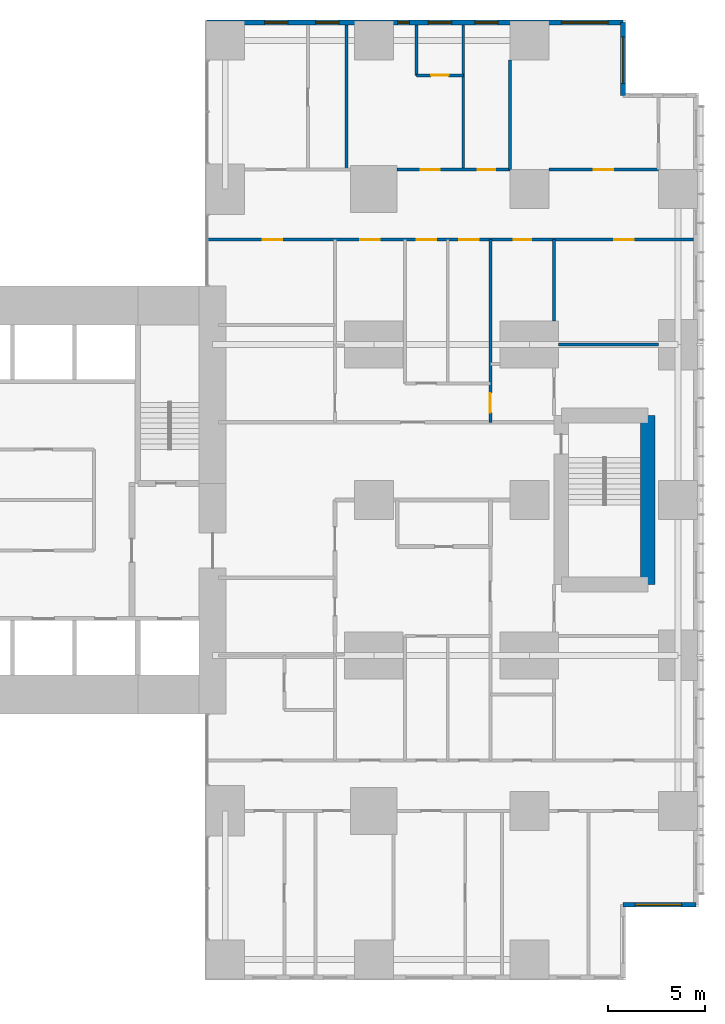
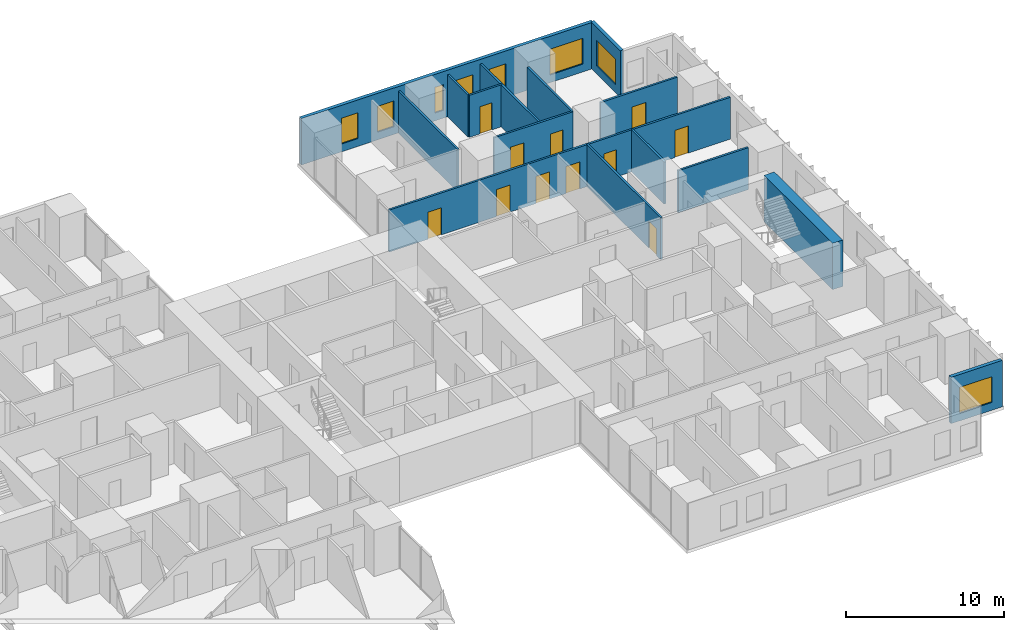
# One storey, part 18 of 20: 15 walls, 11 doors, 8 windows, 19 openings.
"""IFC4 building model written with IfcOpenShell, lengths in metres."""

from ifc_helpers import new_model, si_unit, direction, frame, frame_2d, origin, place, context, subcontext, project, spatial, rectangle, extrude, material, layer, layer_set, type_object, element, fill, save


model = new_model("IFC4")

# Units and contexts
model_context = context("Model", 3, precision=1e-05, world=origin(), true_north=direction((0.0, 1.0)))
body_context = subcontext(model_context, "Body", "Model", "MODEL_VIEW")
ifc_project = project(units=[si_unit("LENGTHUNIT", "METRE"), si_unit("AREAUNIT", "SQUARE_METRE"), si_unit("VOLUMEUNIT", "CUBIC_METRE"), si_unit("PLANEANGLEUNIT", "RADIAN"), si_unit("MASSUNIT", "GRAM", prefix="KILO")], contexts=[model_context])

# Site, building, storey
site_placement = place(None, origin())
site = spatial("IfcSite", under=ifc_project, at=site_placement, CompositionType="ELEMENT")
building_placement = place(site_placement, origin())
building = spatial("IfcBuilding", under=site, at=building_placement, Name="Cleftline Residences", CompositionType="ELEMENT")
storey_placement = place(building_placement, frame((0.0, 0.0, 87.199951171875)))
storey = spatial("IfcBuildingStorey", under=building, at=storey_placement, Name="L22", CompositionType="ELEMENT", Elevation=87.199951171875)

# Wall, opening, window
ifc_material_1 = material(Name="Rendered reinforced concrete blockwork", Category="masonry")
ifc_layer_1 = layer(ifc_material_1, 0.25)
ifc_layer_set_1 = layer_set([ifc_layer_1], Name="EXTERNAL WALL 250")
wall_type_1 = type_object("IfcWallType", Name="EXTERNAL WALL 250", PredefinedType="SOLIDWALL", material=ifc_layer_set_1)
wall_1_placement = place(storey_placement, frame((62.824951171875, 3.175048828125, 0.0), z_axis=(0.0, 0.0, 1.0), x_axis=(1.0, 0.0, 0.0)))
wall_1 = element("IfcWall", 1, at=wall_1_placement, inside=storey, type_object=wall_type_1, Name="External wall", PredefinedType="SOLIDWALL", context=body_context, shape_type="SweptSolid", body=[
    extrude(rectangle(XDim=3.75, YDim=0.25, at=frame_2d((1.875, 0.0))), origin(), (0.0, 0.0, 1.0), 3.60009765625),
])
opening_1_placement = place(wall_1_placement, frame((0.612548828125, 0.0, 0.60009765625)))
opening_1 = element("IfcOpeningElement", 2, at=opening_1_placement, cuts=wall_1, Name="Opening W6", PredefinedType="OPENING", context=body_context, shape_type="SweptSolid", body=[
    extrude(rectangle(XDim=2.39990234375, YDim=2.0, at=frame_2d((1.199951171875, 1.0))), frame((0.0, 0.135009765625, 0.0), z_axis=(0.0, -1.0, 0.0), x_axis=(1.0, 0.0, 0.0)), (0.0, 0.0, 1.0), 0.27001953125),
])
ifc_material_2 = material(Name="Aluminium frame, clear double glazing", Category="aluminium")
window_type_1 = type_object("IfcWindowType", Name="WINDOW 2400X2000", PartitioningType="DOUBLE_PANEL_VERTICAL", PredefinedType="WINDOW", material=ifc_material_2)
window_1_placement = place(opening_1_placement, origin())
window_1 = element("IfcWindow", 3, at=window_1_placement, inside=storey, type_object=window_type_1, Name="Window", OverallHeight=2.0, OverallWidth=2.39990234375, PartitioningType="SINGLE_PANEL", PredefinedType="WINDOW", context=body_context, shape_type="SweptSolid", body=[
    extrude(rectangle(XDim=2.39990234375, YDim=2.0, at=frame_2d((1.199951171875, 1.0))), frame((0.0, 0.030029296875, 0.0), z_axis=(0.0, -1.0, 0.0), x_axis=(1.0, 0.0, 0.0)), (0.0, 0.0, 1.0), 0.06005859375),
])
fill(opening_1, window_1)

wall_2_placement = place(storey_placement, frame((62.824951171875, 44.824951171875, 0.0), z_axis=(0.0, 0.0, 1.0), x_axis=(0.0, 1.0, 0.0)))
wall_2 = element("IfcWall", 4, at=wall_2_placement, inside=storey, type_object=wall_type_1, Name="External wall", PredefinedType="SOLIDWALL", context=body_context, shape_type="SweptSolid", body=[
    extrude(rectangle(XDim=3.75, YDim=0.25, at=frame_2d((1.875, 0.0))), origin(), (0.0, 0.0, 1.0), 3.60009765625),
])
opening_2_placement = place(wall_2_placement, frame((0.612548828125, 0.0, 0.60009765625)))
opening_2 = element("IfcOpeningElement", 5, at=opening_2_placement, cuts=wall_2, Name="Opening W6", PredefinedType="OPENING", context=body_context, shape_type="SweptSolid", body=[
    extrude(rectangle(XDim=2.39990234375, YDim=2.0, at=frame_2d((1.199951171875, 1.0))), frame((0.0, 0.135009765625, 0.0), z_axis=(0.0, -1.0, 0.0), x_axis=(1.0, 0.0, 0.0)), (0.0, 0.0, 1.0), 0.27001953125),
])
window_2_placement = place(opening_2_placement, origin())
window_2 = element("IfcWindow", 6, at=window_2_placement, inside=storey, type_object=window_type_1, Name="Window", OverallHeight=2.0, OverallWidth=2.39990234375, PartitioningType="SINGLE_PANEL", PredefinedType="WINDOW", context=body_context, shape_type="SweptSolid", body=[
    extrude(rectangle(XDim=2.39990234375, YDim=2.0, at=frame_2d((1.199951171875, 1.0))), frame((0.0, 0.030029296875, 0.0), z_axis=(0.0, -1.0, 0.0), x_axis=(1.0, 0.0, 0.0)), (0.0, 0.0, 1.0), 0.06005859375),
])
fill(opening_2, window_2)

# Wall, openings, windows
wall_3_placement = place(storey_placement, frame((62.824951171875, 48.574951171875, 0.0), z_axis=(0.0, 0.0, 1.0), x_axis=(-1.0, 0.0, 0.0)))
wall_3 = element("IfcWall", 7, at=wall_3_placement, inside=storey, type_object=wall_type_1, Name="External wall", PredefinedType="SOLIDWALL", context=body_context, shape_type="SweptSolid", body=[
    extrude(rectangle(XDim=21.39990234375, YDim=0.25, at=frame_2d((10.699951171875, 0.0))), origin(), (0.0, 0.0, 1.0), 3.60009765625),
])
opening_3_placement = place(wall_3_placement, frame((0.77490234375, 0.0, 0.60009765625)))
opening_3 = element("IfcOpeningElement", 8, at=opening_3_placement, cuts=wall_3, Name="Opening W6", PredefinedType="OPENING", context=body_context, shape_type="SweptSolid", body=[
    extrude(rectangle(XDim=2.39990234375, YDim=2.0, at=frame_2d((1.199951171875, 1.0))), frame((0.0, 0.135009765625, 0.0), z_axis=(0.0, -1.0, 0.0), x_axis=(1.0, 0.0, 0.0)), (0.0, 0.0, 1.0), 0.27001953125),
])
opening_4_placement = place(wall_3_placement, frame((6.425048828125, 0.0, 0.60009765625)))
opening_4 = element("IfcOpeningElement", 9, at=opening_4_placement, cuts=wall_3, Name="Opening W8", PredefinedType="OPENING", context=body_context, shape_type="SweptSolid", body=[
    extrude(rectangle(XDim=1.199951171875, YDim=2.0, at=frame_2d((0.60009765625, 1.0))), frame((0.0, 0.135009765625, 0.0), z_axis=(0.0, -1.0, 0.0), x_axis=(1.0, 0.0, 0.0)), (0.0, 0.0, 1.0), 0.27001953125),
])
opening_5_placement = place(wall_3_placement, frame((8.824951171875, 0.0, 0.60009765625)))
opening_5 = element("IfcOpeningElement", 10, at=opening_5_placement, cuts=wall_3, Name="Opening W8", PredefinedType="OPENING", context=body_context, shape_type="SweptSolid", body=[
    extrude(rectangle(XDim=1.199951171875, YDim=2.0, at=frame_2d((0.60009765625, 1.0))), frame((0.0, 0.135009765625, 0.0), z_axis=(0.0, -1.0, 0.0), x_axis=(1.0, 0.0, 0.0)), (0.0, 0.0, 1.0), 0.27001953125),
])
opening_6_placement = place(wall_3_placement, frame((11.0, 0.0, 0.60009765625)))
opening_6 = element("IfcOpeningElement", 11, at=opening_6_placement, cuts=wall_3, Name="Opening W7", PredefinedType="OPENING", context=body_context, shape_type="SweptSolid", body=[
    extrude(rectangle(XDim=0.60009765625, YDim=2.0, at=frame_2d((0.300048828125, 1.0))), frame((0.0, 0.135009765625, 0.0), z_axis=(0.0, -1.0, 0.0), x_axis=(1.0, 0.0, 0.0)), (0.0, 0.0, 1.0), 0.27001953125),
])
opening_7_placement = place(wall_3_placement, frame((14.625, 0.0, 0.60009765625)))
opening_7 = element("IfcOpeningElement", 12, at=opening_7_placement, cuts=wall_3, Name="Opening W8", PredefinedType="OPENING", context=body_context, shape_type="SweptSolid", body=[
    extrude(rectangle(XDim=1.199951171875, YDim=2.0, at=frame_2d((0.60009765625, 1.0))), frame((0.0, 0.135009765625, 0.0), z_axis=(0.0, -1.0, 0.0), x_axis=(1.0, 0.0, 0.0)), (0.0, 0.0, 1.0), 0.27001953125),
])
opening_8_placement = place(wall_3_placement, frame((17.25, 0.0, 0.60009765625)))
opening_8 = element("IfcOpeningElement", 13, at=opening_8_placement, cuts=wall_3, Name="Opening W8", PredefinedType="OPENING", context=body_context, shape_type="SweptSolid", body=[
    extrude(rectangle(XDim=1.199951171875, YDim=2.0, at=frame_2d((0.60009765625, 1.0))), frame((0.0, 0.135009765625, 0.0), z_axis=(0.0, -1.0, 0.0), x_axis=(1.0, 0.0, 0.0)), (0.0, 0.0, 1.0), 0.27001953125),
])
ifc_material_3 = material(Name="Aluminium frame, clear double glazing", Category="aluminium")
window_type_2 = type_object("IfcWindowType", Name="WINDOW 1200X2000", PartitioningType="DOUBLE_PANEL_VERTICAL", PredefinedType="WINDOW", material=ifc_material_3)
window_3_placement = place(opening_4_placement, origin())
window_3 = element("IfcWindow", 14, at=window_3_placement, inside=storey, type_object=window_type_2, Name="Window", OverallHeight=2.0, OverallWidth=1.199951171875, PartitioningType="SINGLE_PANEL", PredefinedType="WINDOW", context=body_context, shape_type="SweptSolid", body=[
    extrude(rectangle(XDim=1.199951171875, YDim=2.0, at=frame_2d((0.60009765625, 1.0))), frame((0.0, 0.030029296875, 0.0), z_axis=(0.0, -1.0, 0.0), x_axis=(1.0, 0.0, 0.0)), (0.0, 0.0, 1.0), 0.06005859375),
])
fill(opening_4, window_3)
window_4_placement = place(opening_5_placement, origin())
window_4 = element("IfcWindow", 15, at=window_4_placement, inside=storey, type_object=window_type_2, Name="Window", OverallHeight=2.0, OverallWidth=1.199951171875, PartitioningType="SINGLE_PANEL", PredefinedType="WINDOW", context=body_context, shape_type="SweptSolid", body=[
    extrude(rectangle(XDim=1.199951171875, YDim=2.0, at=frame_2d((0.60009765625, 1.0))), frame((0.0, 0.030029296875, 0.0), z_axis=(0.0, -1.0, 0.0), x_axis=(1.0, 0.0, 0.0)), (0.0, 0.0, 1.0), 0.06005859375),
])
fill(opening_5, window_4)
window_5_placement = place(opening_7_placement, origin())
window_5 = element("IfcWindow", 16, at=window_5_placement, inside=storey, type_object=window_type_2, Name="Window", OverallHeight=2.0, OverallWidth=1.199951171875, PartitioningType="SINGLE_PANEL", PredefinedType="WINDOW", context=body_context, shape_type="SweptSolid", body=[
    extrude(rectangle(XDim=1.199951171875, YDim=2.0, at=frame_2d((0.60009765625, 1.0))), frame((0.0, 0.030029296875, 0.0), z_axis=(0.0, -1.0, 0.0), x_axis=(1.0, 0.0, 0.0)), (0.0, 0.0, 1.0), 0.06005859375),
])
fill(opening_7, window_5)
window_6_placement = place(opening_8_placement, origin())
window_6 = element("IfcWindow", 17, at=window_6_placement, inside=storey, type_object=window_type_2, Name="Window", OverallHeight=2.0, OverallWidth=1.199951171875, PartitioningType="SINGLE_PANEL", PredefinedType="WINDOW", context=body_context, shape_type="SweptSolid", body=[
    extrude(rectangle(XDim=1.199951171875, YDim=2.0, at=frame_2d((0.60009765625, 1.0))), frame((0.0, 0.030029296875, 0.0), z_axis=(0.0, -1.0, 0.0), x_axis=(1.0, 0.0, 0.0)), (0.0, 0.0, 1.0), 0.06005859375),
])
fill(opening_8, window_6)
window_7_placement = place(opening_3_placement, origin())
window_7 = element("IfcWindow", 18, at=window_7_placement, inside=storey, type_object=window_type_1, Name="Window", OverallHeight=2.0, OverallWidth=2.39990234375, PartitioningType="SINGLE_PANEL", PredefinedType="WINDOW", context=body_context, shape_type="SweptSolid", body=[
    extrude(rectangle(XDim=2.39990234375, YDim=2.0, at=frame_2d((1.199951171875, 1.0))), frame((0.0, 0.030029296875, 0.0), z_axis=(0.0, -1.0, 0.0), x_axis=(1.0, 0.0, 0.0)), (0.0, 0.0, 1.0), 0.06005859375),
])
fill(opening_3, window_7)
ifc_material_4 = material(Name="Aluminium frame, clear double glazing", Category="aluminium")
window_type_3 = type_object("IfcWindowType", Name="WINDOW 600X2000", PartitioningType="DOUBLE_PANEL_VERTICAL", PredefinedType="WINDOW", material=ifc_material_4)
window_8_placement = place(opening_6_placement, origin())
window_8 = element("IfcWindow", 19, at=window_8_placement, inside=storey, type_object=window_type_3, Name="Window", OverallHeight=2.0, OverallWidth=0.60009765625, PartitioningType="SINGLE_PANEL", PredefinedType="WINDOW", context=body_context, shape_type="SweptSolid", body=[
    extrude(rectangle(XDim=0.60009765625, YDim=2.0, at=frame_2d((0.300048828125, 1.0))), frame((0.0, 0.030029296875, 0.0), z_axis=(0.0, -1.0, 0.0), x_axis=(1.0, 0.0, 0.0)), (0.0, 0.0, 1.0), 0.06005859375),
])
fill(opening_6, window_8)

# Wall
ifc_material_5 = material(Name="Gypsum board on steel studs", Category="steel")
ifc_layer_2 = layer(ifc_material_5, 0.14990234375)
ifc_layer_set_2 = layer_set([ifc_layer_2], Name="PARTITION 150")
wall_type_2 = type_object("IfcWallType", Name="PARTITION 150", PredefinedType="PARTITIONING", material=ifc_layer_set_2)
wall_4_placement = place(storey_placement, frame((59.5, 32.0, 0.0), z_axis=(0.0, 0.0, 1.0), x_axis=(1.0, 0.0, 0.0)))
element("IfcWall", 20, at=wall_4_placement, inside=storey, type_object=wall_type_2, Name="Partition", PredefinedType="PARTITIONING", context=body_context, shape_type="SweptSolid", body=[
    extrude(rectangle(XDim=5.14990234375, YDim=0.14990234375, at=frame_2d((2.574951171875, 0.0))), origin(), (0.0, 0.0, 1.0), 3.25),
])

# Wall, openings, doors
wall_5_placement = place(storey_placement, frame((41.43896484375, 37.39990234375, 0.0), z_axis=(0.0, 0.0, 1.0), x_axis=(1.0, 0.0, 0.0)))
wall_5 = element("IfcWall", 21, at=wall_5_placement, inside=storey, type_object=wall_type_2, Name="Partition", PredefinedType="PARTITIONING", context=body_context, shape_type="SweptSolid", body=[
    extrude(rectangle(XDim=25.010986328125, YDim=0.14990234375, at=frame_2d((12.50537109375, 0.0))), origin(), (0.0, 0.0, 1.0), 3.25),
])
opening_9_placement = place(wall_5_placement, frame((10.760986328125, 0.0, 0.0)))
opening_9 = element("IfcOpeningElement", 22, at=opening_9_placement, cuts=wall_5, Name="Opening D2", PredefinedType="OPENING", context=body_context, shape_type="SweptSolid", body=[
    extrude(rectangle(XDim=1.0, YDim=2.10009765625, at=frame_2d((0.5, 1.050048828125))), frame((0.0, 0.0849609375, 0.0), z_axis=(0.0, -1.0, 0.0), x_axis=(1.0, 0.0, 0.0)), (0.0, 0.0, 1.0), 0.169921875),
])
opening_10_placement = place(wall_5_placement, frame((20.923583984375, 0.0, 0.0)))
opening_10 = element("IfcOpeningElement", 23, at=opening_10_placement, cuts=wall_5, Name="Opening D2", PredefinedType="OPENING", context=body_context, shape_type="SweptSolid", body=[
    extrude(rectangle(XDim=1.0, YDim=2.10009765625, at=frame_2d((0.5, 1.050048828125))), frame((0.0, 0.0849609375, 0.0), z_axis=(0.0, -1.0, 0.0), x_axis=(1.0, 0.0, 0.0)), (0.0, 0.0, 1.0), 0.169921875),
])
opening_11_placement = place(wall_5_placement, frame((15.74853515625, 0.0, 0.0)))
opening_11 = element("IfcOpeningElement", 24, at=opening_11_placement, cuts=wall_5, Name="Opening D1", PredefinedType="OPENING", context=body_context, shape_type="SweptSolid", body=[
    extrude(rectangle(XDim=0.89990234375, YDim=2.10009765625, at=frame_2d((0.449951171875, 1.050048828125))), frame((0.0, 0.0849609375, 0.0), z_axis=(0.0, -1.0, 0.0), x_axis=(1.0, 0.0, 0.0)), (0.0, 0.0, 1.0), 0.169921875),
])
opening_12_placement = place(wall_5_placement, frame((12.9609375, 0.0, 0.0)))
opening_12 = element("IfcOpeningElement", 25, at=opening_12_placement, cuts=wall_5, Name="Opening D2", PredefinedType="OPENING", context=body_context, shape_type="SweptSolid", body=[
    extrude(rectangle(XDim=1.0, YDim=2.10009765625, at=frame_2d((0.5, 1.050048828125))), frame((0.0, 0.0849609375, 0.0), z_axis=(0.0, -1.0, 0.0), x_axis=(1.0, 0.0, 0.0)), (0.0, 0.0, 1.0), 0.169921875),
])
opening_13_placement = place(wall_5_placement, frame((7.861083984375, 0.0, 0.0)))
opening_13 = element("IfcOpeningElement", 26, at=opening_13_placement, cuts=wall_5, Name="Opening D2", PredefinedType="OPENING", context=body_context, shape_type="SweptSolid", body=[
    extrude(rectangle(XDim=1.0, YDim=2.10009765625, at=frame_2d((0.5, 1.050048828125))), frame((0.0, 0.0849609375, 0.0), z_axis=(0.0, -1.0, 0.0), x_axis=(1.0, 0.0, 0.0)), (0.0, 0.0, 1.0), 0.169921875),
])
opening_14_placement = place(wall_5_placement, frame((2.8359375, 0.0, 0.0)))
opening_14 = element("IfcOpeningElement", 27, at=opening_14_placement, cuts=wall_5, Name="Opening D2", PredefinedType="OPENING", context=body_context, shape_type="SweptSolid", body=[
    extrude(rectangle(XDim=1.0, YDim=2.10009765625, at=frame_2d((0.5, 1.050048828125))), frame((0.0, 0.0849609375, 0.0), z_axis=(0.0, -1.0, 0.0), x_axis=(1.0, 0.0, 0.0)), (0.0, 0.0, 1.0), 0.169921875),
])
ifc_material_6 = material(Name="Timber veneer on solid core", Category="wood")
door_type_1 = type_object("IfcDoorType", Name="DOOR 1000X2100", OperationType="SINGLE_SWING_LEFT", PredefinedType="DOOR", material=ifc_material_6)
door_1_placement = place(opening_9_placement, origin())
door_1 = element("IfcDoor", 28, at=door_1_placement, inside=storey, type_object=door_type_1, Name="Door to residence hall", OperationType="SINGLE_SWING_RIGHT", OverallHeight=2.10009765625, OverallWidth=1.0, PredefinedType="DOOR", context=body_context, shape_type="SweptSolid", body=[
    extrude(rectangle(XDim=1.0, YDim=2.10009765625, at=frame_2d((0.5, 1.050048828125))), frame((0.0, 0.02490234375, 0.0), z_axis=(0.0, -1.0, 0.0), x_axis=(1.0, 0.0, 0.0)), (0.0, 0.0, 1.0), 0.050048828125),
])
fill(opening_9, door_1)
door_2_placement = place(opening_10_placement, origin())
door_2 = element("IfcDoor", 29, at=door_2_placement, inside=storey, type_object=door_type_1, Name="Door to sea-view living room", OperationType="SINGLE_SWING_LEFT", OverallHeight=2.10009765625, OverallWidth=1.0, PredefinedType="DOOR", context=body_context, shape_type="SweptSolid", body=[
    extrude(rectangle(XDim=1.0, YDim=2.10009765625, at=frame_2d((0.5, 1.050048828125))), frame((0.0, 0.02490234375, 0.0), z_axis=(0.0, -1.0, 0.0), x_axis=(1.0, 0.0, 0.0)), (0.0, 0.0, 1.0), 0.050048828125),
])
fill(opening_10, door_2)
door_3_placement = place(opening_12_placement, origin())
door_3 = element("IfcDoor", 30, at=door_3_placement, inside=storey, type_object=door_type_1, Name="Door to show kitchen", OperationType="SINGLE_SWING_LEFT", OverallHeight=2.10009765625, OverallWidth=1.0, PredefinedType="DOOR", context=body_context, shape_type="SweptSolid", body=[
    extrude(rectangle(XDim=1.0, YDim=2.10009765625, at=frame_2d((0.5, 1.050048828125))), frame((0.0, 0.02490234375, 0.0), z_axis=(0.0, -1.0, 0.0), x_axis=(1.0, 0.0, 0.0)), (0.0, 0.0, 1.0), 0.050048828125),
])
fill(opening_12, door_3)
door_4_placement = place(opening_13_placement, origin())
door_4 = element("IfcDoor", 31, at=door_4_placement, inside=storey, type_object=door_type_1, Name="Door to wet kitchen", OperationType="SINGLE_SWING_RIGHT", OverallHeight=2.10009765625, OverallWidth=1.0, PredefinedType="DOOR", context=body_context, shape_type="SweptSolid", body=[
    extrude(rectangle(XDim=1.0, YDim=2.10009765625, at=frame_2d((0.5, 1.050048828125))), frame((0.0, 0.02490234375, 0.0), z_axis=(0.0, -1.0, 0.0), x_axis=(1.0, 0.0, 0.0)), (0.0, 0.0, 1.0), 0.050048828125),
])
fill(opening_13, door_4)
door_5_placement = place(opening_14_placement, origin())
door_5 = element("IfcDoor", 32, at=door_5_placement, inside=storey, type_object=door_type_1, Name="Door to study", OperationType="SINGLE_SWING_RIGHT", OverallHeight=2.10009765625, OverallWidth=1.0, PredefinedType="DOOR", context=body_context, shape_type="SweptSolid", body=[
    extrude(rectangle(XDim=1.0, YDim=2.10009765625, at=frame_2d((0.5, 1.050048828125))), frame((0.0, 0.02490234375, 0.0), z_axis=(0.0, -1.0, 0.0), x_axis=(1.0, 0.0, 0.0)), (0.0, 0.0, 1.0), 0.050048828125),
])
fill(opening_14, door_5)
ifc_material_7 = material(Name="Timber veneer on solid core", Category="wood")
door_type_2 = type_object("IfcDoorType", Name="DOOR 900X2100", OperationType="SINGLE_SWING_LEFT", PredefinedType="DOOR", material=ifc_material_7)
door_6_placement = place(opening_11_placement, origin())
door_6 = element("IfcDoor", 33, at=door_6_placement, inside=storey, type_object=door_type_2, Name="Door to master bathroom", OperationType="SINGLE_SWING_LEFT", OverallHeight=2.10009765625, OverallWidth=0.89990234375, PredefinedType="DOOR", context=body_context, shape_type="SweptSolid", body=[
    extrude(rectangle(XDim=0.89990234375, YDim=2.10009765625, at=frame_2d((0.449951171875, 1.050048828125))), frame((0.0, 0.02490234375, 0.0), z_axis=(0.0, -1.0, 0.0), x_axis=(1.0, 0.0, 0.0)), (0.0, 0.0, 1.0), 0.050048828125),
])
fill(opening_11, door_6)

wall_6_placement = place(storey_placement, frame((51.199951171875, 41.0, 0.0), z_axis=(0.0, 0.0, 1.0), x_axis=(1.0, 0.0, 0.0)))
wall_6 = element("IfcWall", 34, at=wall_6_placement, inside=storey, type_object=wall_type_2, Name="Partition", PredefinedType="PARTITIONING", context=body_context, shape_type="SweptSolid", body=[
    extrude(rectangle(XDim=5.800048828125, YDim=0.14990234375, at=frame_2d((2.89990234375, 0.0))), origin(), (0.0, 0.0, 1.0), 3.25),
])
opening_15_placement = place(wall_6_placement, frame((4.14990234375, 0.0, 0.0)))
opening_15 = element("IfcOpeningElement", 35, at=opening_15_placement, cuts=wall_6, Name="Opening D1", PredefinedType="OPENING", context=body_context, shape_type="SweptSolid", body=[
    extrude(rectangle(XDim=0.89990234375, YDim=2.10009765625, at=frame_2d((0.449951171875, 1.050048828125))), frame((0.0, 0.0849609375, 0.0), z_axis=(0.0, -1.0, 0.0), x_axis=(1.0, 0.0, 0.0)), (0.0, 0.0, 1.0), 0.169921875),
])
opening_16_placement = place(wall_6_placement, frame((1.199951171875, 0.0, 0.0)))
opening_16 = element("IfcOpeningElement", 36, at=opening_16_placement, cuts=wall_6, Name="Opening D2", PredefinedType="OPENING", context=body_context, shape_type="SweptSolid", body=[
    extrude(rectangle(XDim=1.0, YDim=2.10009765625, at=frame_2d((0.5, 1.050048828125))), frame((0.0, 0.0849609375, 0.0), z_axis=(0.0, -1.0, 0.0), x_axis=(1.0, 0.0, 0.0)), (0.0, 0.0, 1.0), 0.169921875),
])
door_7_placement = place(opening_16_placement, origin())
door_7 = element("IfcDoor", 37, at=door_7_placement, inside=storey, type_object=door_type_1, Name="Door to bedroom 2", OperationType="SINGLE_SWING_RIGHT", OverallHeight=2.10009765625, OverallWidth=1.0, PredefinedType="DOOR", context=body_context, shape_type="SweptSolid", body=[
    extrude(rectangle(XDim=1.0, YDim=2.10009765625, at=frame_2d((0.5, 1.050048828125))), frame((0.0, 0.02490234375, 0.0), z_axis=(0.0, -1.0, 0.0), x_axis=(1.0, 0.0, 0.0)), (0.0, 0.0, 1.0), 0.050048828125),
])
fill(opening_16, door_7)
door_8_placement = place(opening_15_placement, origin())
door_8 = element("IfcDoor", 38, at=door_8_placement, inside=storey, type_object=door_type_2, Name="Door to master dressing room", OperationType="SINGLE_SWING_LEFT", OverallHeight=2.10009765625, OverallWidth=0.89990234375, PredefinedType="DOOR", context=body_context, shape_type="SweptSolid", body=[
    extrude(rectangle(XDim=0.89990234375, YDim=2.10009765625, at=frame_2d((0.449951171875, 1.050048828125))), frame((0.0, 0.02490234375, 0.0), z_axis=(0.0, -1.0, 0.0), x_axis=(1.0, 0.0, 0.0)), (0.0, 0.0, 1.0), 0.050048828125),
])
fill(opening_15, door_8)

# Wall, opening, door
wall_7_placement = place(storey_placement, frame((59.0, 41.0, 0.0), z_axis=(0.0, 0.0, 1.0), x_axis=(1.0, 0.0, 0.0)))
wall_7 = element("IfcWall", 39, at=wall_7_placement, inside=storey, type_object=wall_type_2, Name="Partition", PredefinedType="PARTITIONING", context=body_context, shape_type="SweptSolid", body=[
    extrude(rectangle(XDim=5.64990234375, YDim=0.14990234375, at=frame_2d((2.824951171875, 0.0))), origin(), (0.0, 0.0, 1.0), 3.25),
])
opening_17_placement = place(wall_7_placement, frame((2.324951171875, 0.0, 0.0)))
opening_17 = element("IfcOpeningElement", 40, at=opening_17_placement, cuts=wall_7, Name="Opening D2", PredefinedType="OPENING", context=body_context, shape_type="SweptSolid", body=[
    extrude(rectangle(XDim=1.0, YDim=2.10009765625, at=frame_2d((0.5, 1.050048828125))), frame((0.0, 0.0849609375, 0.0), z_axis=(0.0, -1.0, 0.0), x_axis=(1.0, 0.0, 0.0)), (0.0, 0.0, 1.0), 0.169921875),
])
door_9_placement = place(opening_17_placement, origin())
door_9 = element("IfcDoor", 41, at=door_9_placement, inside=storey, type_object=door_type_1, Name="Door to master bedroom", OperationType="SINGLE_SWING_LEFT", OverallHeight=2.10009765625, OverallWidth=1.0, PredefinedType="DOOR", context=body_context, shape_type="SweptSolid", body=[
    extrude(rectangle(XDim=1.0, YDim=2.10009765625, at=frame_2d((0.5, 1.050048828125))), frame((0.0, 0.02490234375, 0.0), z_axis=(0.0, -1.0, 0.0), x_axis=(1.0, 0.0, 0.0)), (0.0, 0.0, 1.0), 0.050048828125),
])
fill(opening_17, door_9)

wall_8_placement = place(storey_placement, frame((52.199951171875, 45.85009765625, 0.0), z_axis=(0.0, 0.0, 1.0), x_axis=(1.0, 0.0, 0.0)))
wall_8 = element("IfcWall", 42, at=wall_8_placement, inside=storey, type_object=wall_type_2, Name="Partition", PredefinedType="PARTITIONING", context=body_context, shape_type="SweptSolid", body=[
    extrude(rectangle(XDim=2.400146484375, YDim=0.14990234375, at=frame_2d((1.2001953125, 0.0))), origin(), (0.0, 0.0, 1.0), 3.25),
])
opening_18_placement = place(wall_8_placement, frame((0.75, 0.0, 0.0)))
opening_18 = element("IfcOpeningElement", 43, at=opening_18_placement, cuts=wall_8, Name="Opening D1", PredefinedType="OPENING", context=body_context, shape_type="SweptSolid", body=[
    extrude(rectangle(XDim=0.89990234375, YDim=2.10009765625, at=frame_2d((0.449951171875, 1.050048828125))), frame((0.0, 0.0849609375, 0.0), z_axis=(0.0, -1.0, 0.0), x_axis=(1.0, 0.0, 0.0)), (0.0, 0.0, 1.0), 0.169921875),
])
door_10_placement = place(opening_18_placement, origin())
door_10 = element("IfcDoor", 44, at=door_10_placement, inside=storey, type_object=door_type_2, Name="Door to en-suite bathroom 2", OperationType="SINGLE_SWING_LEFT", OverallHeight=2.10009765625, OverallWidth=0.89990234375, PredefinedType="DOOR", context=body_context, shape_type="SweptSolid", body=[
    extrude(rectangle(XDim=0.89990234375, YDim=2.10009765625, at=frame_2d((0.449951171875, 1.050048828125))), frame((0.0, 0.02490234375, 0.0), z_axis=(0.0, -1.0, 0.0), x_axis=(1.0, 0.0, 0.0)), (0.0, 0.0, 1.0), 0.050048828125),
])
fill(opening_18, door_10)

# Walls
wall_9_placement = place(storey_placement, frame((48.60009765625, 41.0, 0.0), z_axis=(0.0, 0.0, 1.0), x_axis=(0.0, 1.0, 0.0)))
element("IfcWall", 45, at=wall_9_placement, inside=storey, type_object=wall_type_2, Name="Partition", PredefinedType="PARTITIONING", context=body_context, shape_type="SweptSolid", body=[
    extrude(rectangle(XDim=7.449951171875, YDim=0.14990234375, at=frame_2d((3.72509765625, 0.0))), origin(), (0.0, 0.0, 1.0), 3.25),
])
wall_10_placement = place(storey_placement, frame((52.199951171875, 45.85009765625, 0.0), z_axis=(0.0, 0.0, 1.0), x_axis=(0.0, 1.0, 0.0)))
element("IfcWall", 46, at=wall_10_placement, inside=storey, type_object=wall_type_2, Name="Partition", PredefinedType="PARTITIONING", context=body_context, shape_type="SweptSolid", body=[
    extrude(rectangle(XDim=2.599853515625, YDim=0.14990234375, at=frame_2d((1.2998046875, 0.0))), origin(), (0.0, 0.0, 1.0), 3.25),
])
wall_11_placement = place(storey_placement, frame((54.60009765625, 41.0, 0.0), z_axis=(0.0, 0.0, 1.0), x_axis=(0.0, 1.0, 0.0)))
element("IfcWall", 47, at=wall_11_placement, inside=storey, type_object=wall_type_2, Name="Partition", PredefinedType="PARTITIONING", context=body_context, shape_type="SweptSolid", body=[
    extrude(rectangle(XDim=7.449951171875, YDim=0.14990234375, at=frame_2d((3.72509765625, 0.0))), origin(), (0.0, 0.0, 1.0), 3.25),
])

# Wall, opening, door
wall_12_placement = place(storey_placement, frame((56.0, 28.0, 0.0), z_axis=(0.0, 0.0, 1.0), x_axis=(0.0, 1.0, 0.0)))
wall_12 = element("IfcWall", 48, at=wall_12_placement, inside=storey, type_object=wall_type_2, Name="Partition", PredefinedType="PARTITIONING", context=body_context, shape_type="SweptSolid", body=[
    extrude(rectangle(XDim=9.39990234375, YDim=0.14990234375, at=frame_2d((4.699951171875, 0.0))), origin(), (0.0, 0.0, 1.0), 3.25),
])
opening_19_placement = place(wall_12_placement, frame((0.5, 0.0, 0.0)))
opening_19 = element("IfcOpeningElement", 49, at=opening_19_placement, cuts=wall_12, Name="Opening D2F30", PredefinedType="OPENING", context=body_context, shape_type="SweptSolid", body=[
    extrude(rectangle(XDim=1.0, YDim=2.10009765625, at=frame_2d((0.5, 1.050048828125))), frame((0.0, 0.0849609375, 0.0), z_axis=(0.0, -1.0, 0.0), x_axis=(1.0, 0.0, 0.0)), (0.0, 0.0, 1.0), 0.169921875),
])
ifc_material_8 = material(Name="Timber veneer on solid core", Category="wood")
door_type_3 = type_object("IfcDoorType", Name="DOOR 1000X2100 EI 30", OperationType="SINGLE_SWING_LEFT", PredefinedType="DOOR", material=ifc_material_8)
door_11_placement = place(opening_19_placement, origin())
door_11 = element("IfcDoor", 50, at=door_11_placement, inside=storey, type_object=door_type_3, Name="Door to residence lobby (service)", OperationType="SINGLE_SWING_RIGHT", OverallHeight=2.10009765625, OverallWidth=1.0, PredefinedType="DOOR", context=body_context, shape_type="SweptSolid", body=[
    extrude(rectangle(XDim=1.0, YDim=2.10009765625, at=frame_2d((0.5, 1.050048828125))), frame((0.0, 0.02490234375, 0.0), z_axis=(0.0, -1.0, 0.0), x_axis=(1.0, 0.0, 0.0)), (0.0, 0.0, 1.0), 0.050048828125),
])
fill(opening_19, door_11)

# Walls
wall_13_placement = place(storey_placement, frame((57.0, 41.0, 0.0), z_axis=(0.0, 0.0, 1.0), x_axis=(0.0, 1.0, 0.0)))
element("IfcWall", 51, at=wall_13_placement, inside=storey, type_object=wall_type_2, Name="Partition", PredefinedType="PARTITIONING", context=body_context, shape_type="SweptSolid", body=[
    extrude(rectangle(XDim=5.64990234375, YDim=0.14990234375, at=frame_2d((2.824951171875, 0.0))), origin(), (0.0, 0.0, 1.0), 3.25),
])
wall_14_placement = place(storey_placement, frame((59.27490234375, 33.199951171875, 0.0), z_axis=(0.0, 0.0, 1.0), x_axis=(0.0, 1.0, 0.0)))
element("IfcWall", 52, at=wall_14_placement, inside=storey, type_object=wall_type_2, Name="Partition", PredefinedType="PARTITIONING", context=body_context, shape_type="SweptSolid", body=[
    extrude(rectangle(XDim=4.199951171875, YDim=0.14990234375, at=frame_2d((2.10009765625, 0.0))), origin(), (0.0, 0.0, 1.0), 3.25),
])
ifc_material_9 = material(Name="Concrete B70", Category="concrete")
ifc_layer_3 = layer(ifc_material_9, 0.75)
ifc_layer_set_3 = layer_set([ifc_layer_3], Name="SHEAR WALL 750")
wall_type_3 = type_object("IfcWallType", Name="SHEAR WALL 750", PredefinedType="SHEAR", material=ifc_layer_set_3)
wall_15_placement = place(storey_placement, frame((64.10009765625, 19.64990234375, 0.0), z_axis=(0.0, 0.0, 1.0), x_axis=(0.0, 1.0, 0.0)))
element("IfcWall", 53, at=wall_15_placement, inside=storey, type_object=wall_type_3, Name="Wing shear wall", PredefinedType="SHEAR", context=body_context, shape_type="SweptSolid", body=[
    extrude(rectangle(XDim=8.7001953125, YDim=0.75, at=frame_2d((4.35009765625, 0.0))), origin(), (0.0, 0.0, 1.0), 3.60009765625),
])

save(model, "model.ifc")
